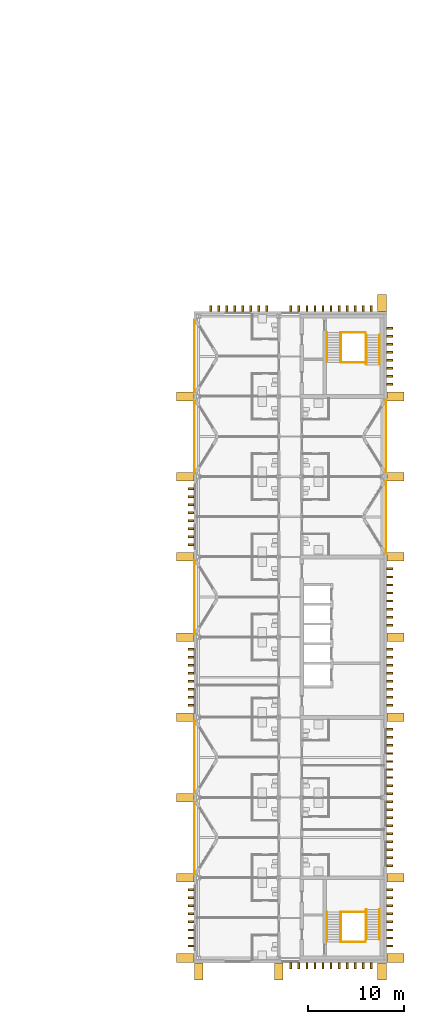
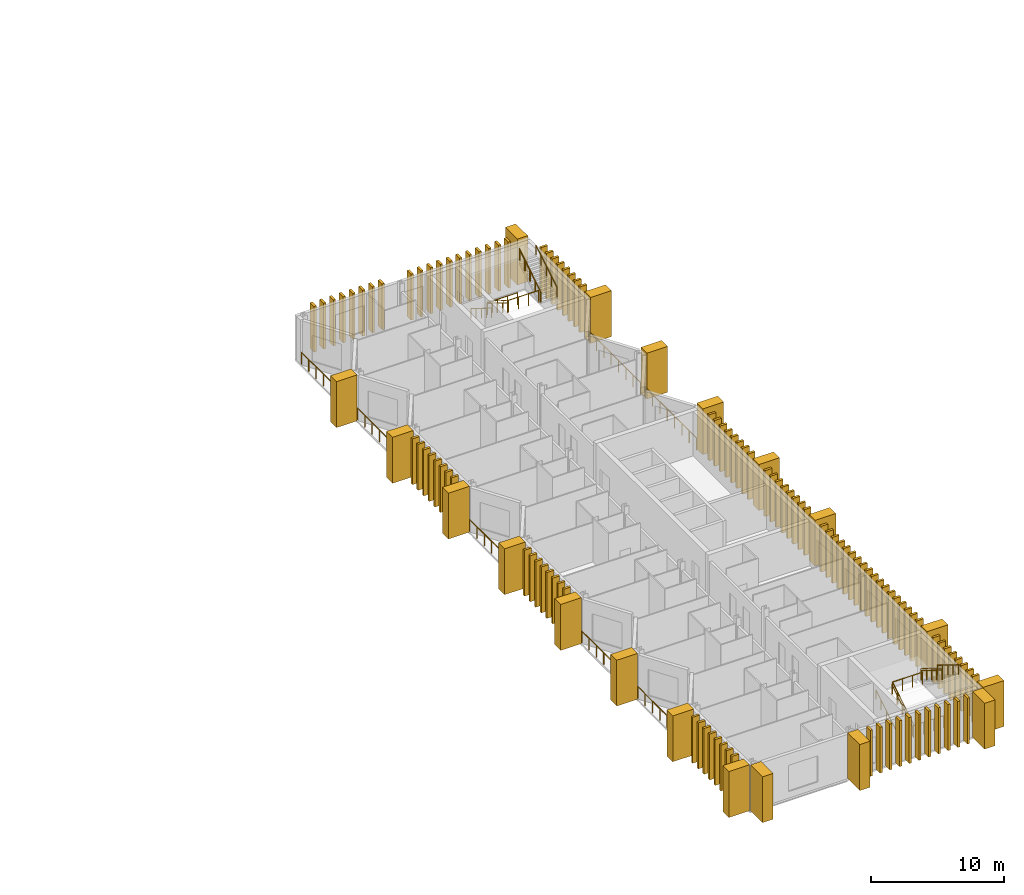
# One storey, part 17 of 18: 123 coverings, 23 railings.
"""IFC4 building model written with IfcOpenShell, lengths in metres."""

from ifc_helpers import new_model, si_unit, direction, frame, origin, origin_2d, place, context, subcontext, project, spatial, rectangle, circle, extrude, material, type_object, element, save


model = new_model("IFC4")

# Units and contexts
model_context = context("Model", 3, precision=1e-05, world=origin(), true_north=direction((0.0, 1.0)))
body_context = subcontext(model_context, "Body", "Model", "MODEL_VIEW")
ifc_project = project(units=[si_unit("LENGTHUNIT", "METRE"), si_unit("AREAUNIT", "SQUARE_METRE"), si_unit("VOLUMEUNIT", "CUBIC_METRE"), si_unit("PLANEANGLEUNIT", "RADIAN"), si_unit("MASSUNIT", "GRAM", prefix="KILO")], contexts=[model_context])

# Site, building, storey
site_placement = place(None, origin())
site = spatial("IfcSite", under=ifc_project, at=site_placement, CompositionType="ELEMENT")
building_placement = place(site_placement, origin())
building = spatial("IfcBuilding", under=site, at=building_placement, Name="Cresset Court Congress Hotel", CompositionType="ELEMENT")
storey_placement = place(building_placement, frame((0.0, 0.0, 35.39990234375)))
storey = spatial("IfcBuildingStorey", under=building, at=storey_placement, Name="L08", CompositionType="ELEMENT", Elevation=35.39990234375)

# Coverings
ifc_material_1 = material(Name="Precast concrete C50", Category="concrete")
covering_type_1 = type_object("IfcCoveringType", Name="Precast stone fin 200x600", PredefinedType="CLADDING", material=ifc_material_1)
for number, where, z_axis, x_axis, name in (
    (1, (177.199951171875, 1.260009765625, 0.0), (0.0, 0.0, 1.0), (1.0, 0.0, 0.0), "Fin E002"),
    (2, (177.199951171875, 2.10009765625, 0.0), (0.0, 0.0, 1.0), (1.0, 0.0, 0.0), "Fin E003"),
    (3, (177.199951171875, 2.93994140625, 0.0), (0.0, 0.0, 1.0), (1.0, 0.0, 0.0), "Fin E004"),
    (4, (177.199951171875, 3.780029296875, 0.0), (0.0, 0.0, 1.0), (1.0, 0.0, 0.0), "Fin E005"),
    (5, (177.199951171875, 4.6201171875, 0.0), (0.0, 0.0, 1.0), (1.0, 0.0, 0.0), "Fin E006"),
    (6, (177.199951171875, 5.4599609375, 0.0), (0.0, 0.0, 1.0), (1.0, 0.0, 0.0), "Fin E007"),
    (7, (177.199951171875, 6.300048828125, 0.0), (0.0, 0.0, 1.0), (1.0, 0.0, 0.0), "Fin E008"),
    (8, (177.199951171875, 7.139892578125, 0.0), (0.0, 0.0, 1.0), (1.0, 0.0, 0.0), "Fin E009"),
    (9, (177.199951171875, 9.659912109375, 0.0), (0.0, 0.0, 1.0), (1.0, 0.0, 0.0), "Fin E012"),
    (10, (177.199951171875, 10.5, 0.0), (0.0, 0.0, 1.0), (1.0, 0.0, 0.0), "Fin E013"),
    (11, (177.199951171875, 11.340087890625, 0.0), (0.0, 0.0, 1.0), (1.0, 0.0, 0.0), "Fin E014"),
    (12, (177.199951171875, 12.179931640625, 0.0), (0.0, 0.0, 1.0), (1.0, 0.0, 0.0), "Fin E015"),
    (13, (177.199951171875, 13.02001953125, 0.0), (0.0, 0.0, 1.0), (1.0, 0.0, 0.0), "Fin E016"),
    (14, (177.199951171875, 13.860107421875, 0.0), (0.0, 0.0, 1.0), (1.0, 0.0, 0.0), "Fin E017"),
    (15, (177.199951171875, 14.699951171875, 0.0), (0.0, 0.0, 1.0), (1.0, 0.0, 0.0), "Fin E018"),
    (16, (177.199951171875, 15.5400390625, 0.0), (0.0, 0.0, 1.0), (1.0, 0.0, 0.0), "Fin E019"),
    (17, (177.199951171875, 16.3798828125, 0.0), (0.0, 0.0, 1.0), (1.0, 0.0, 0.0), "Fin E020"),
    (18, (177.199951171875, 17.219970703125, 0.0), (0.0, 0.0, 1.0), (1.0, 0.0, 0.0), "Fin E021"),
    (19, (177.199951171875, 18.06005859375, 0.0), (0.0, 0.0, 1.0), (1.0, 0.0, 0.0), "Fin E022"),
    (20, (177.199951171875, 18.89990234375, 0.0), (0.0, 0.0, 1.0), (1.0, 0.0, 0.0), "Fin E023"),
    (21, (177.199951171875, 19.739990234375, 0.0), (0.0, 0.0, 1.0), (1.0, 0.0, 0.0), "Fin E024"),
    (22, (177.199951171875, 20.580078125, 0.0), (0.0, 0.0, 1.0), (1.0, 0.0, 0.0), "Fin E025"),
    (23, (177.199951171875, 21.419921875, 0.0), (0.0, 0.0, 1.0), (1.0, 0.0, 0.0), "Fin E026"),
    (24, (177.199951171875, 22.260009765625, 0.0), (0.0, 0.0, 1.0), (1.0, 0.0, 0.0), "Fin E027"),
    (25, (177.199951171875, 23.10009765625, 0.0), (0.0, 0.0, 1.0), (1.0, 0.0, 0.0), "Fin E028"),
    (26, (177.199951171875, 23.93994140625, 0.0), (0.0, 0.0, 1.0), (1.0, 0.0, 0.0), "Fin E029"),
    (27, (177.199951171875, 26.4599609375, 0.0), (0.0, 0.0, 1.0), (1.0, 0.0, 0.0), "Fin E032"),
    (28, (177.199951171875, 27.300048828125, 0.0), (0.0, 0.0, 1.0), (1.0, 0.0, 0.0), "Fin E033"),
    (29, (177.199951171875, 28.139892578125, 0.0), (0.0, 0.0, 1.0), (1.0, 0.0, 0.0), "Fin E034"),
    (30, (177.199951171875, 28.97998046875, 0.0), (0.0, 0.0, 1.0), (1.0, 0.0, 0.0), "Fin E035"),
    (31, (177.199951171875, 29.820068359375, 0.0), (0.0, 0.0, 1.0), (1.0, 0.0, 0.0), "Fin E036"),
    (32, (177.199951171875, 30.659912109375, 0.0), (0.0, 0.0, 1.0), (1.0, 0.0, 0.0), "Fin E037"),
    (33, (177.199951171875, 31.5, 0.0), (0.0, 0.0, 1.0), (1.0, 0.0, 0.0), "Fin E038"),
    (34, (177.199951171875, 32.340087890625, 0.0), (0.0, 0.0, 1.0), (1.0, 0.0, 0.0), "Fin E039"),
    (35, (177.199951171875, 34.860107421875, 0.0), (0.0, 0.0, 1.0), (1.0, 0.0, 0.0), "Fin E042"),
    (36, (177.199951171875, 35.699951171875, 0.0), (0.0, 0.0, 1.0), (1.0, 0.0, 0.0), "Fin E043"),
    (37, (177.199951171875, 36.5400390625, 0.0), (0.0, 0.0, 1.0), (1.0, 0.0, 0.0), "Fin E044"),
    (38, (177.199951171875, 37.3798828125, 0.0), (0.0, 0.0, 1.0), (1.0, 0.0, 0.0), "Fin E045"),
    (39, (177.199951171875, 38.219970703125, 0.0), (0.0, 0.0, 1.0), (1.0, 0.0, 0.0), "Fin E046"),
    (40, (177.199951171875, 39.06005859375, 0.0), (0.0, 0.0, 1.0), (1.0, 0.0, 0.0), "Fin E047"),
    (41, (177.199951171875, 39.89990234375, 0.0), (0.0, 0.0, 1.0), (1.0, 0.0, 0.0), "Fin E048"),
    (42, (177.199951171875, 40.739990234375, 0.0), (0.0, 0.0, 1.0), (1.0, 0.0, 0.0), "Fin E049"),
    (43, (177.199951171875, 60.06005859375, 0.0), (0.0, 0.0, 1.0), (1.0, 0.0, 0.0), "Fin E072"),
    (44, (177.199951171875, 60.89990234375, 0.0), (0.0, 0.0, 1.0), (1.0, 0.0, 0.0), "Fin E073"),
    (45, (177.199951171875, 61.739990234375, 0.0), (0.0, 0.0, 1.0), (1.0, 0.0, 0.0), "Fin E074"),
    (46, (177.199951171875, 62.580078125, 0.0), (0.0, 0.0, 1.0), (1.0, 0.0, 0.0), "Fin E075"),
    (47, (177.199951171875, 63.419921875, 0.0), (0.0, 0.0, 1.0), (1.0, 0.0, 0.0), "Fin E076"),
    (48, (177.199951171875, 64.260009765625, 0.0), (0.0, 0.0, 1.0), (1.0, 0.0, 0.0), "Fin E077"),
    (49, (177.199951171875, 65.10009765625, 0.0), (0.0, 0.0, 1.0), (1.0, 0.0, 0.0), "Fin E078"),
    (50, (177.199951171875, 65.93994140625, 0.0), (0.0, 0.0, 1.0), (1.0, 0.0, 0.0), "Fin E079"),
    (51, (156.39990234375, 1.260009765625, 0.0), (0.0, 0.0, 1.0), (1.0, 0.0, 0.0), "Fin W002"),
    (52, (156.39990234375, 2.10009765625, 0.0), (0.0, 0.0, 1.0), (1.0, 0.0, 0.0), "Fin W003"),
    (53, (156.39990234375, 2.93994140625, 0.0), (0.0, 0.0, 1.0), (1.0, 0.0, 0.0), "Fin W004"),
    (54, (156.39990234375, 3.780029296875, 0.0), (0.0, 0.0, 1.0), (1.0, 0.0, 0.0), "Fin W005"),
    (55, (156.39990234375, 4.6201171875, 0.0), (0.0, 0.0, 1.0), (1.0, 0.0, 0.0), "Fin W006"),
    (56, (156.39990234375, 5.4599609375, 0.0), (0.0, 0.0, 1.0), (1.0, 0.0, 0.0), "Fin W007"),
    (57, (156.39990234375, 6.300048828125, 0.0), (0.0, 0.0, 1.0), (1.0, 0.0, 0.0), "Fin W008"),
    (58, (156.39990234375, 7.139892578125, 0.0), (0.0, 0.0, 1.0), (1.0, 0.0, 0.0), "Fin W009"),
    (59, (156.39990234375, 26.4599609375, 0.0), (0.0, 0.0, 1.0), (1.0, 0.0, 0.0), "Fin W032"),
    (60, (156.39990234375, 27.300048828125, 0.0), (0.0, 0.0, 1.0), (1.0, 0.0, 0.0), "Fin W033"),
    (61, (156.39990234375, 28.139892578125, 0.0), (0.0, 0.0, 1.0), (1.0, 0.0, 0.0), "Fin W034"),
    (62, (156.39990234375, 28.97998046875, 0.0), (0.0, 0.0, 1.0), (1.0, 0.0, 0.0), "Fin W035"),
    (63, (156.39990234375, 29.820068359375, 0.0), (0.0, 0.0, 1.0), (1.0, 0.0, 0.0), "Fin W036"),
    (64, (156.39990234375, 30.659912109375, 0.0), (0.0, 0.0, 1.0), (1.0, 0.0, 0.0), "Fin W037"),
    (65, (156.39990234375, 31.5, 0.0), (0.0, 0.0, 1.0), (1.0, 0.0, 0.0), "Fin W038"),
    (66, (156.39990234375, 32.340087890625, 0.0), (0.0, 0.0, 1.0), (1.0, 0.0, 0.0), "Fin W039"),
    (67, (156.39990234375, 43.260009765625, 0.0), (0.0, 0.0, 1.0), (1.0, 0.0, 0.0), "Fin W052"),
    (68, (156.39990234375, 44.10009765625, 0.0), (0.0, 0.0, 1.0), (1.0, 0.0, 0.0), "Fin W053"),
    (69, (156.39990234375, 44.93994140625, 0.0), (0.0, 0.0, 1.0), (1.0, 0.0, 0.0), "Fin W054"),
    (70, (156.39990234375, 45.780029296875, 0.0), (0.0, 0.0, 1.0), (1.0, 0.0, 0.0), "Fin W055"),
    (71, (156.39990234375, 46.6201171875, 0.0), (0.0, 0.0, 1.0), (1.0, 0.0, 0.0), "Fin W056"),
    (72, (156.39990234375, 47.4599609375, 0.0), (0.0, 0.0, 1.0), (1.0, 0.0, 0.0), "Fin W057"),
    (73, (156.39990234375, 48.300048828125, 0.0), (0.0, 0.0, 1.0), (1.0, 0.0, 0.0), "Fin W058"),
    (74, (156.39990234375, 49.139892578125, 0.0), (0.0, 0.0, 1.0), (1.0, 0.0, 0.0), "Fin W059"),
):
    element("IfcCovering", number, at=place(storey_placement, frame(where, z_axis=z_axis, x_axis=x_axis)), inside=storey, type_object=covering_type_1, Name=name, PredefinedType="CLADDING", context=body_context, shape_type="SweptSolid", body=[
        extrude(rectangle(XDim=0.60009765625, YDim=0.199951171875, at=origin_2d()), origin(), (0.0, 0.0, 1.0), 4.199951171875),
    ])
for number, where, z_axis, x_axis, name in (
    (75, (166.860107421875, -0.800048828125, 0.0), (0.0, 0.0, 1.0), (1.0, 0.0, 0.0), "Fin S012"),
    (76, (167.699951171875, -0.800048828125, 0.0), (0.0, 0.0, 1.0), (1.0, 0.0, 0.0), "Fin S013"),
    (77, (168.5400390625, -0.800048828125, 0.0), (0.0, 0.0, 1.0), (1.0, 0.0, 0.0), "Fin S014"),
    (78, (169.3798828125, -0.800048828125, 0.0), (0.0, 0.0, 1.0), (1.0, 0.0, 0.0), "Fin S015"),
    (79, (170.219970703125, -0.800048828125, 0.0), (0.0, 0.0, 1.0), (1.0, 0.0, 0.0), "Fin S016"),
    (80, (171.06005859375, -0.800048828125, 0.0), (0.0, 0.0, 1.0), (1.0, 0.0, 0.0), "Fin S017"),
    (81, (171.89990234375, -0.800048828125, 0.0), (0.0, 0.0, 1.0), (1.0, 0.0, 0.0), "Fin S018"),
    (82, (172.739990234375, -0.800048828125, 0.0), (0.0, 0.0, 1.0), (1.0, 0.0, 0.0), "Fin S019"),
    (83, (173.580078125, -0.800048828125, 0.0), (0.0, 0.0, 1.0), (1.0, 0.0, 0.0), "Fin S020"),
    (84, (174.419921875, -0.800048828125, 0.0), (0.0, 0.0, 1.0), (1.0, 0.0, 0.0), "Fin S021"),
    (85, (175.260009765625, -0.800048828125, 0.0), (0.0, 0.0, 1.0), (1.0, 0.0, 0.0), "Fin S022"),
    (86, (158.4599609375, 68.0, 0.0), (0.0, 0.0, 1.0), (1.0, 0.0, 0.0), "Fin N002"),
    (87, (159.300048828125, 68.0, 0.0), (0.0, 0.0, 1.0), (1.0, 0.0, 0.0), "Fin N003"),
    (88, (160.139892578125, 68.0, 0.0), (0.0, 0.0, 1.0), (1.0, 0.0, 0.0), "Fin N004"),
    (89, (160.97998046875, 68.0, 0.0), (0.0, 0.0, 1.0), (1.0, 0.0, 0.0), "Fin N005"),
    (90, (161.820068359375, 68.0, 0.0), (0.0, 0.0, 1.0), (1.0, 0.0, 0.0), "Fin N006"),
    (91, (162.659912109375, 68.0, 0.0), (0.0, 0.0, 1.0), (1.0, 0.0, 0.0), "Fin N007"),
    (92, (163.5, 68.0, 0.0), (0.0, 0.0, 1.0), (1.0, 0.0, 0.0), "Fin N008"),
    (93, (164.340087890625, 68.0, 0.0), (0.0, 0.0, 1.0), (1.0, 0.0, 0.0), "Fin N009"),
    (94, (166.860107421875, 68.0, 0.0), (0.0, 0.0, 1.0), (1.0, 0.0, 0.0), "Fin N012"),
    (95, (167.699951171875, 68.0, 0.0), (0.0, 0.0, 1.0), (1.0, 0.0, 0.0), "Fin N013"),
    (96, (168.5400390625, 68.0, 0.0), (0.0, 0.0, 1.0), (1.0, 0.0, 0.0), "Fin N014"),
    (97, (169.3798828125, 68.0, 0.0), (0.0, 0.0, 1.0), (1.0, 0.0, 0.0), "Fin N015"),
    (98, (170.219970703125, 68.0, 0.0), (0.0, 0.0, 1.0), (1.0, 0.0, 0.0), "Fin N016"),
    (99, (171.06005859375, 68.0, 0.0), (0.0, 0.0, 1.0), (1.0, 0.0, 0.0), "Fin N017"),
    (100, (171.89990234375, 68.0, 0.0), (0.0, 0.0, 1.0), (1.0, 0.0, 0.0), "Fin N018"),
    (101, (172.739990234375, 68.0, 0.0), (0.0, 0.0, 1.0), (1.0, 0.0, 0.0), "Fin N019"),
    (102, (173.580078125, 68.0, 0.0), (0.0, 0.0, 1.0), (1.0, 0.0, 0.0), "Fin N020"),
    (103, (174.419921875, 68.0, 0.0), (0.0, 0.0, 1.0), (1.0, 0.0, 0.0), "Fin N021"),
    (104, (175.260009765625, 68.0, 0.0), (0.0, 0.0, 1.0), (1.0, 0.0, 0.0), "Fin N022"),
):
    element("IfcCovering", number, at=place(storey_placement, frame(where, z_axis=z_axis, x_axis=x_axis)), inside=storey, type_object=covering_type_1, Name=name, PredefinedType="CLADDING", context=body_context, shape_type="SweptSolid", body=[
        extrude(rectangle(XDim=0.199951171875, YDim=0.60009765625, at=origin_2d()), origin(), (0.0, 0.0, 1.0), 4.199951171875),
    ])
ifc_material_2 = material(Name="Precast concrete C50", Category="concrete")
covering_type_2 = type_object("IfcCoveringType", Name="Precast stone pier 900x1800", PredefinedType="CLADDING", material=ifc_material_2)
for number, where, z_axis, x_axis, name in (
    (105, (177.800048828125, 0.0, 0.0), (0.0, 0.0, 1.0), (1.0, 0.0, 0.0), "Pier E01"),
    (106, (177.800048828125, 8.39990234375, 0.0), (0.0, 0.0, 1.0), (1.0, 0.0, 0.0), "Pier E02"),
    (107, (177.800048828125, 25.199951171875, 0.0), (0.0, 0.0, 1.0), (1.0, 0.0, 0.0), "Pier E03"),
    (108, (177.800048828125, 33.60009765625, 0.0), (0.0, 0.0, 1.0), (1.0, 0.0, 0.0), "Pier E04"),
    (109, (177.800048828125, 42.0, 0.0), (0.0, 0.0, 1.0), (1.0, 0.0, 0.0), "Pier E05"),
    (110, (177.800048828125, 50.39990234375, 0.0), (0.0, 0.0, 1.0), (1.0, 0.0, 0.0), "Pier E06"),
    (111, (177.800048828125, 58.800048828125, 0.0), (0.0, 0.0, 1.0), (1.0, 0.0, 0.0), "Pier E07"),
    (112, (155.800048828125, 0.0, 0.0), (0.0, 0.0, 1.0), (1.0, 0.0, 0.0), "Pier W01"),
    (113, (155.800048828125, 8.39990234375, 0.0), (0.0, 0.0, 1.0), (1.0, 0.0, 0.0), "Pier W02"),
    (114, (155.800048828125, 16.800048828125, 0.0), (0.0, 0.0, 1.0), (1.0, 0.0, 0.0), "Pier W03"),
    (115, (155.800048828125, 25.199951171875, 0.0), (0.0, 0.0, 1.0), (1.0, 0.0, 0.0), "Pier W04"),
    (116, (155.800048828125, 33.60009765625, 0.0), (0.0, 0.0, 1.0), (1.0, 0.0, 0.0), "Pier W05"),
    (117, (155.800048828125, 42.0, 0.0), (0.0, 0.0, 1.0), (1.0, 0.0, 0.0), "Pier W06"),
    (118, (155.800048828125, 50.39990234375, 0.0), (0.0, 0.0, 1.0), (1.0, 0.0, 0.0), "Pier W07"),
    (119, (155.800048828125, 58.800048828125, 0.0), (0.0, 0.0, 1.0), (1.0, 0.0, 0.0), "Pier W08"),
):
    element("IfcCovering", number, at=place(storey_placement, frame(where, z_axis=z_axis, x_axis=x_axis)), inside=storey, type_object=covering_type_2, Name=name, PredefinedType="CLADDING", context=body_context, shape_type="SweptSolid", body=[
        extrude(rectangle(XDim=1.800048828125, YDim=0.89990234375, at=origin_2d()), origin(), (0.0, 0.0, 1.0), 4.199951171875),
    ])
for number, where, z_axis, x_axis, name in (
    (120, (157.199951171875, -1.39990234375, 0.0), (0.0, 0.0, 1.0), (1.0, 0.0, 0.0), "Pier S01"),
    (121, (165.60009765625, -1.39990234375, 0.0), (0.0, 0.0, 1.0), (1.0, 0.0, 0.0), "Pier S02"),
    (122, (176.39990234375, -1.39990234375, 0.0), (0.0, 0.0, 1.0), (1.0, 0.0, 0.0), "Pier S03"),
    (123, (176.39990234375, 68.60009765625, 0.0), (0.0, 0.0, 1.0), (1.0, 0.0, 0.0), "Pier N03"),
):
    element("IfcCovering", number, at=place(storey_placement, frame(where, z_axis=z_axis, x_axis=x_axis)), inside=storey, type_object=covering_type_2, Name=name, PredefinedType="CLADDING", context=body_context, shape_type="SweptSolid", body=[
        extrude(rectangle(XDim=0.89990234375, YDim=1.800048828125, at=origin_2d()), origin(), (0.0, 0.0, 1.0), 4.199951171875),
    ])

# Railings
ifc_material_3 = material(Name="Stainless steel", Category="steel")
railing_type_1 = type_object("IfcRailingType", Name="Slot ledge guard 1100", PredefinedType="GUARDRAIL", material=ifc_material_3)
railing_1_placement = place(storey_placement, frame((156.780029296875, 8.75, 0.0)))
element("IfcRailing", 124, at=railing_1_placement, inside=storey, type_object=railing_type_1, Name="Slot guard W2 L08", PredefinedType="GUARDRAIL", context=body_context, shape_type="SweptSolid", body=[
    extrude(circle(Radius=0.02392578125, at=origin_2d()), frame((0.0, 0.0, 1.076171875), z_axis=(0.0, 1.0, 0.0), x_axis=(-1.0, 0.0, 0.0)), (0.0, 0.0, 1.0), 7.699951171875),
    extrude(circle(Radius=0.02099609375, at=origin_2d()), origin(), (0.0, 0.0, 1.0), 1.052001953125),
    extrude(circle(Radius=0.02099609375, at=origin_2d()), frame((0.0, 1.10009765625, 0.0)), (0.0, 0.0, 1.0), 1.052001953125),
    extrude(circle(Radius=0.02099609375, at=origin_2d()), frame((0.0, 2.199951171875, 0.0)), (0.0, 0.0, 1.0), 1.052001953125),
    extrude(circle(Radius=0.02099609375, at=origin_2d()), frame((0.0, 3.300048828125, 0.0)), (0.0, 0.0, 1.0), 1.052001953125),
    extrude(circle(Radius=0.02099609375, at=origin_2d()), frame((0.0, 4.39990234375, 0.0)), (0.0, 0.0, 1.0), 1.052001953125),
    extrude(circle(Radius=0.02099609375, at=origin_2d()), frame((0.0, 5.5, 0.0)), (0.0, 0.0, 1.0), 1.052001953125),
    extrude(circle(Radius=0.02099609375, at=origin_2d()), frame((0.0, 6.599853515625, 0.0)), (0.0, 0.0, 1.0), 1.052001953125),
    extrude(circle(Radius=0.02099609375, at=origin_2d()), frame((0.0, 7.699951171875, 0.0)), (0.0, 0.0, 1.0), 1.052001953125),
])
railing_2_placement = place(storey_placement, frame((156.780029296875, 17.14990234375, 0.0)))
element("IfcRailing", 125, at=railing_2_placement, inside=storey, type_object=railing_type_1, Name="Slot guard W3 L08", PredefinedType="GUARDRAIL", context=body_context, shape_type="SweptSolid", body=[
    extrude(circle(Radius=0.02392578125, at=origin_2d()), frame((0.0, 0.0, 1.076171875), z_axis=(0.0, 1.0, 0.0), x_axis=(-1.0, 0.0, 0.0)), (0.0, 0.0, 1.0), 7.7001953125),
    extrude(circle(Radius=0.02099609375, at=origin_2d()), origin(), (0.0, 0.0, 1.0), 1.052001953125),
    extrude(circle(Radius=0.02099609375, at=origin_2d()), frame((0.0, 1.10009765625, 0.0)), (0.0, 0.0, 1.0), 1.052001953125),
    extrude(circle(Radius=0.02099609375, at=origin_2d()), frame((0.0, 2.199951171875, 0.0)), (0.0, 0.0, 1.0), 1.052001953125),
    extrude(circle(Radius=0.02099609375, at=origin_2d()), frame((0.0, 3.300048828125, 0.0)), (0.0, 0.0, 1.0), 1.052001953125),
    extrude(circle(Radius=0.02099609375, at=origin_2d()), frame((0.0, 4.400146484375, 0.0)), (0.0, 0.0, 1.0), 1.052001953125),
    extrude(circle(Radius=0.02099609375, at=origin_2d()), frame((0.0, 5.500244140625, 0.0)), (0.0, 0.0, 1.0), 1.052001953125),
    extrude(circle(Radius=0.02099609375, at=origin_2d()), frame((0.0, 6.60009765625, 0.0)), (0.0, 0.0, 1.0), 1.052001953125),
    extrude(circle(Radius=0.02099609375, at=origin_2d()), frame((0.0, 7.7001953125, 0.0)), (0.0, 0.0, 1.0), 1.052001953125),
])
for number, where, name in (
    (126, (156.780029296875, 33.949951171875, 0.0), "Slot guard W5 L08"),
    (127, (156.780029296875, 50.75, 0.0), "Slot guard W7 L08"),
):
    element("IfcRailing", number, at=place(storey_placement, frame(where)), inside=storey, type_object=railing_type_1, Name=name, PredefinedType="GUARDRAIL", context=body_context, shape_type="SweptSolid", body=[
        extrude(circle(Radius=0.02392578125, at=origin_2d()), frame((0.0, 0.0, 1.076171875), z_axis=(0.0, 1.0, 0.0), x_axis=(-1.0, 0.0, 0.0)), (0.0, 0.0, 1.0), 7.699951171875),
        extrude(circle(Radius=0.02099609375, at=origin_2d()), origin(), (0.0, 0.0, 1.0), 1.052001953125),
        extrude(circle(Radius=0.02099609375, at=origin_2d()), frame((0.0, 1.10009765625, 0.0)), (0.0, 0.0, 1.0), 1.052001953125),
        extrude(circle(Radius=0.02099609375, at=origin_2d()), frame((0.0, 2.199951171875, 0.0)), (0.0, 0.0, 1.0), 1.052001953125),
        extrude(circle(Radius=0.02099609375, at=origin_2d()), frame((0.0, 3.300048828125, 0.0)), (0.0, 0.0, 1.0), 1.052001953125),
        extrude(circle(Radius=0.02099609375, at=origin_2d()), frame((0.0, 4.39990234375, 0.0)), (0.0, 0.0, 1.0), 1.052001953125),
        extrude(circle(Radius=0.02099609375, at=origin_2d()), frame((0.0, 5.5, 0.0)), (0.0, 0.0, 1.0), 1.052001953125),
        extrude(circle(Radius=0.02099609375, at=origin_2d()), frame((0.0, 6.599853515625, 0.0)), (0.0, 0.0, 1.0), 1.052001953125),
        extrude(circle(Radius=0.02099609375, at=origin_2d()), frame((0.0, 7.699951171875, 0.0)), (0.0, 0.0, 1.0), 1.052001953125),
    ])
railing_3_placement = place(storey_placement, frame((156.780029296875, 59.14990234375, 0.0)))
element("IfcRailing", 128, at=railing_3_placement, inside=storey, type_object=railing_type_1, Name="Slot guard W8 L08", PredefinedType="GUARDRAIL", context=body_context, shape_type="SweptSolid", body=[
    extrude(circle(Radius=0.02392578125, at=origin_2d()), frame((0.0, 0.0, 1.076171875), z_axis=(0.0, 1.0, 0.0), x_axis=(-1.0, 0.0, 0.0)), (0.0, 0.0, 1.0), 7.7001953125),
    extrude(circle(Radius=0.02099609375, at=origin_2d()), origin(), (0.0, 0.0, 1.0), 1.052001953125),
    extrude(circle(Radius=0.02099609375, at=origin_2d()), frame((0.0, 1.10009765625, 0.0)), (0.0, 0.0, 1.0), 1.052001953125),
    extrude(circle(Radius=0.02099609375, at=origin_2d()), frame((0.0, 2.199951171875, 0.0)), (0.0, 0.0, 1.0), 1.052001953125),
    extrude(circle(Radius=0.02099609375, at=origin_2d()), frame((0.0, 3.300048828125, 0.0)), (0.0, 0.0, 1.0), 1.052001953125),
    extrude(circle(Radius=0.02099609375, at=origin_2d()), frame((0.0, 4.400146484375, 0.0)), (0.0, 0.0, 1.0), 1.052001953125),
    extrude(circle(Radius=0.02099609375, at=origin_2d()), frame((0.0, 5.500244140625, 0.0)), (0.0, 0.0, 1.0), 1.052001953125),
    extrude(circle(Radius=0.02099609375, at=origin_2d()), frame((0.0, 6.60009765625, 0.0)), (0.0, 0.0, 1.0), 1.052001953125),
    extrude(circle(Radius=0.02099609375, at=origin_2d()), frame((0.0, 7.7001953125, 0.0)), (0.0, 0.0, 1.0), 1.052001953125),
])
for number, where, name in (
    (129, (176.820068359375, 42.35009765625, 0.0), "Slot guard E6 L08"),
    (130, (176.820068359375, 50.75, 0.0), "Slot guard E7 L08"),
):
    element("IfcRailing", number, at=place(storey_placement, frame(where)), inside=storey, type_object=railing_type_1, Name=name, PredefinedType="GUARDRAIL", context=body_context, shape_type="SweptSolid", body=[
        extrude(circle(Radius=0.02392578125, at=origin_2d()), frame((0.0, 0.0, 1.076171875), z_axis=(0.0, 1.0, 0.0), x_axis=(-1.0, 0.0, 0.0)), (0.0, 0.0, 1.0), 7.699951171875),
        extrude(circle(Radius=0.02099609375, at=origin_2d()), origin(), (0.0, 0.0, 1.0), 1.052001953125),
        extrude(circle(Radius=0.02099609375, at=origin_2d()), frame((0.0, 1.10009765625, 0.0)), (0.0, 0.0, 1.0), 1.052001953125),
        extrude(circle(Radius=0.02099609375, at=origin_2d()), frame((0.0, 2.199951171875, 0.0)), (0.0, 0.0, 1.0), 1.052001953125),
        extrude(circle(Radius=0.02099609375, at=origin_2d()), frame((0.0, 3.300048828125, 0.0)), (0.0, 0.0, 1.0), 1.052001953125),
        extrude(circle(Radius=0.02099609375, at=origin_2d()), frame((0.0, 4.39990234375, 0.0)), (0.0, 0.0, 1.0), 1.052001953125),
        extrude(circle(Radius=0.02099609375, at=origin_2d()), frame((0.0, 5.5, 0.0)), (0.0, 0.0, 1.0), 1.052001953125),
        extrude(circle(Radius=0.02099609375, at=origin_2d()), frame((0.0, 6.599853515625, 0.0)), (0.0, 0.0, 1.0), 1.052001953125),
        extrude(circle(Radius=0.02099609375, at=origin_2d()), frame((0.0, 7.699951171875, 0.0)), (0.0, 0.0, 1.0), 1.052001953125),
    ])
ifc_material_4 = material(Name="Stainless steel", Category="steel")
railing_type_2 = type_object("IfcRailingType", Name="Stair guard 1100", PredefinedType="GUARDRAIL", material=ifc_material_4)
railing_4_placement = place(storey_placement, frame((172.10009765625, 1.699951171875, 0.16162109375)))
element("IfcRailing", 131, at=railing_4_placement, inside=storey, type_object=railing_type_2, Name="Guard A1 L08", PredefinedType="GUARDRAIL", context=body_context, shape_type="SweptSolid", body=[
    extrude(circle(Radius=0.02392578125, at=origin_2d()), frame((0.0, 0.0, 1.076171875), z_axis=(0.0, 0.849414166554, 0.527726798313), x_axis=(-1.0, 0.0, 0.0)), (0.0, 0.0, 1.0), 3.67333984375),
    extrude(circle(Radius=0.02099609375, at=origin_2d()), origin(), (0.0, 0.0, 1.0), 1.052001953125),
    extrude(circle(Radius=0.02099609375, at=origin_2d()), frame((0.0, 0.780029296875, 0.484619140625)), (0.0, 0.0, 1.0), 1.052001953125),
    extrude(circle(Radius=0.02099609375, at=origin_2d()), frame((0.0, 1.56005859375, 0.96923828125)), (0.0, 0.0, 1.0), 1.052001953125),
    extrude(circle(Radius=0.02099609375, at=origin_2d()), frame((0.0, 2.340087890625, 1.453857421875)), (0.0, 0.0, 1.0), 1.052001953125),
    extrude(circle(Radius=0.02099609375, at=origin_2d()), frame((0.0, 3.1201171875, 1.9384765625)), (0.0, 0.0, 1.0), 1.052001953125),
])
railing_5_placement = place(storey_placement, frame((174.699951171875, 5.080078125, 2.26171875)))
element("IfcRailing", 132, at=railing_5_placement, inside=storey, type_object=railing_type_2, Name="Guard A1 L08", PredefinedType="GUARDRAIL", context=body_context, shape_type="SweptSolid", body=[
    extrude(circle(Radius=0.02392578125, at=origin_2d()), frame((0.0, 0.0, 1.076171875), z_axis=(0.0, -0.849414166554, 0.527726798313), x_axis=(1.0, 0.0, 0.0)), (0.0, 0.0, 1.0), 3.67333984375),
    extrude(circle(Radius=0.02099609375, at=origin_2d()), origin(), (0.0, 0.0, 1.0), 1.052001953125),
    extrude(circle(Radius=0.02099609375, at=origin_2d()), frame((0.0, -0.780029296875, 0.484619140625)), (0.0, 0.0, 1.0), 1.052001953125),
    extrude(circle(Radius=0.02099609375, at=origin_2d()), frame((0.0, -1.56005859375, 0.96923828125)), (0.0, 0.0, 1.0), 1.052001953125),
    extrude(circle(Radius=0.02099609375, at=origin_2d()), frame((0.0, -2.340087890625, 1.453857421875)), (0.0, 0.0, 1.0), 1.052001953125),
    extrude(circle(Radius=0.02099609375, at=origin_2d()), frame((0.0, -3.1201171875, 1.9384765625)), (0.0, 0.0, 1.0), 1.052001953125),
])
for number, where, name in (
    (133, (172.10009765625, 1.699951171875, 0.0), "Guard A1 L08"),
    (134, (172.10009765625, 4.820068359375, 2.10009765625), "Guard A1 L08"),
):
    element("IfcRailing", number, at=place(storey_placement, frame(where)), inside=storey, type_object=railing_type_2, Name=name, PredefinedType="GUARDRAIL", context=body_context, shape_type="SweptSolid", body=[
        extrude(circle(Radius=0.02392578125, at=origin_2d()), frame((0.0, 0.0, 1.076171875), z_axis=(1.0, 0.0, 0.0), x_axis=(0.0, 1.0, 0.0)), (0.0, 0.0, 1.0), 2.599853515625),
        extrude(circle(Radius=0.02099609375, at=origin_2d()), origin(), (0.0, 0.0, 1.0), 1.052001953125),
        extrude(circle(Radius=0.02099609375, at=origin_2d()), frame((0.86669921875, 0.0, 0.0)), (0.0, 0.0, 1.0), 1.052001953125),
        extrude(circle(Radius=0.02099609375, at=origin_2d()), frame((1.733154296875, 0.0, 0.0)), (0.0, 0.0, 1.0), 1.052001953125),
        extrude(circle(Radius=0.02099609375, at=origin_2d()), frame((2.599853515625, 0.0, 0.0)), (0.0, 0.0, 1.0), 1.052001953125),
    ])
railing_6_placement = place(storey_placement, frame((172.10009765625, 65.5, 0.16162109375)))
element("IfcRailing", 135, at=railing_6_placement, inside=storey, type_object=railing_type_2, Name="Guard A2 L08", PredefinedType="GUARDRAIL", context=body_context, shape_type="SweptSolid", body=[
    extrude(circle(Radius=0.02392578125, at=origin_2d()), frame((0.0, 0.0, 1.076171875), z_axis=(0.0, -0.849414166554, 0.527726798313), x_axis=(1.0, 0.0, 0.0)), (0.0, 0.0, 1.0), 3.67333984375),
    extrude(circle(Radius=0.02099609375, at=origin_2d()), origin(), (0.0, 0.0, 1.0), 1.052001953125),
    extrude(circle(Radius=0.02099609375, at=origin_2d()), frame((0.0, -0.780029296875, 0.484619140625)), (0.0, 0.0, 1.0), 1.052001953125),
    extrude(circle(Radius=0.02099609375, at=origin_2d()), frame((0.0, -1.56005859375, 0.96923828125)), (0.0, 0.0, 1.0), 1.052001953125),
    extrude(circle(Radius=0.02099609375, at=origin_2d()), frame((0.0, -2.340087890625, 1.453857421875)), (0.0, 0.0, 1.0), 1.052001953125),
    extrude(circle(Radius=0.02099609375, at=origin_2d()), frame((0.0, -3.1201171875, 1.9384765625)), (0.0, 0.0, 1.0), 1.052001953125),
])
railing_7_placement = place(storey_placement, frame((174.699951171875, 62.1201171875, 2.26171875)))
element("IfcRailing", 136, at=railing_7_placement, inside=storey, type_object=railing_type_2, Name="Guard A2 L08", PredefinedType="GUARDRAIL", context=body_context, shape_type="SweptSolid", body=[
    extrude(circle(Radius=0.02392578125, at=origin_2d()), frame((0.0, 0.0, 1.076171875), z_axis=(0.0, 0.849395654964, 0.52775659288), x_axis=(-1.0, 0.0, 0.0)), (0.0, 0.0, 1.0), 3.673095703125),
    extrude(circle(Radius=0.02099609375, at=origin_2d()), origin(), (0.0, 0.0, 1.0), 1.052001953125),
    extrude(circle(Radius=0.02099609375, at=origin_2d()), frame((0.0, 0.780029296875, 0.484619140625)), (0.0, 0.0, 1.0), 1.052001953125),
    extrude(circle(Radius=0.02099609375, at=origin_2d()), frame((0.0, 1.56005859375, 0.96923828125)), (0.0, 0.0, 1.0), 1.052001953125),
    extrude(circle(Radius=0.02099609375, at=origin_2d()), frame((0.0, 2.33984375, 1.453857421875)), (0.0, 0.0, 1.0), 1.052001953125),
    extrude(circle(Radius=0.02099609375, at=origin_2d()), frame((0.0, 3.119873046875, 1.9384765625)), (0.0, 0.0, 1.0), 1.052001953125),
])
for number, where, name in (
    (137, (172.10009765625, 65.5, 0.0), "Guard A2 L08"),
    (138, (172.10009765625, 62.3798828125, 2.10009765625), "Guard A2 L08"),
):
    element("IfcRailing", number, at=place(storey_placement, frame(where)), inside=storey, type_object=railing_type_2, Name=name, PredefinedType="GUARDRAIL", context=body_context, shape_type="SweptSolid", body=[
        extrude(circle(Radius=0.02392578125, at=origin_2d()), frame((0.0, 0.0, 1.076171875), z_axis=(1.0, 0.0, 0.0), x_axis=(0.0, 1.0, 0.0)), (0.0, 0.0, 1.0), 2.599853515625),
        extrude(circle(Radius=0.02099609375, at=origin_2d()), origin(), (0.0, 0.0, 1.0), 1.052001953125),
        extrude(circle(Radius=0.02099609375, at=origin_2d()), frame((0.86669921875, 0.0, 0.0)), (0.0, 0.0, 1.0), 1.052001953125),
        extrude(circle(Radius=0.02099609375, at=origin_2d()), frame((1.733154296875, 0.0, 0.0)), (0.0, 0.0, 1.0), 1.052001953125),
        extrude(circle(Radius=0.02099609375, at=origin_2d()), frame((2.599853515625, 0.0, 0.0)), (0.0, 0.0, 1.0), 1.052001953125),
    ])
ifc_material_5 = material(Name="Stainless steel", Category="steel")
railing_type_3 = type_object("IfcRailingType", Name="Stair handrail 900", PredefinedType="HANDRAIL", material=ifc_material_5)
for number, where, name in (
    (139, (170.659912109375, 1.699951171875, 0.16162109375), "Handrail A1 L08"),
    (140, (172.0400390625, 1.699951171875, 0.16162109375), "Handrail A1 L08"),
):
    element("IfcRailing", number, at=place(storey_placement, frame(where)), inside=storey, type_object=railing_type_3, Name=name, PredefinedType="HANDRAIL", context=body_context, shape_type="SweptSolid", body=[
        extrude(circle(Radius=0.02392578125, at=origin_2d()), frame((0.0, 0.0, 0.8759765625), z_axis=(0.0, 0.849414166554, 0.527726798313), x_axis=(-1.0, 0.0, 0.0)), (0.0, 0.0, 1.0), 3.67333984375),
        extrude(circle(Radius=0.02099609375, at=origin_2d()), origin(), (0.0, 0.0, 1.0), 0.851806640625),
        extrude(circle(Radius=0.02099609375, at=origin_2d()), frame((0.0, 0.780029296875, 0.484619140625)), (0.0, 0.0, 1.0), 0.851806640625),
        extrude(circle(Radius=0.02099609375, at=origin_2d()), frame((0.0, 1.56005859375, 0.96923828125)), (0.0, 0.0, 1.0), 0.851806640625),
        extrude(circle(Radius=0.02099609375, at=origin_2d()), frame((0.0, 2.340087890625, 1.453857421875)), (0.0, 0.0, 1.0), 0.851806640625),
        extrude(circle(Radius=0.02099609375, at=origin_2d()), frame((0.0, 3.1201171875, 1.9384765625)), (0.0, 0.0, 1.0), 0.851806640625),
    ])
for number, where, name in (
    (141, (174.760009765625, 5.080078125, 2.26171875), "Handrail A1 L08"),
    (142, (176.139892578125, 5.080078125, 2.26171875), "Handrail A1 L08"),
    (143, (170.659912109375, 65.5, 0.16162109375), "Handrail A2 L08"),
    (144, (172.0400390625, 65.5, 0.16162109375), "Handrail A2 L08"),
):
    element("IfcRailing", number, at=place(storey_placement, frame(where)), inside=storey, type_object=railing_type_3, Name=name, PredefinedType="HANDRAIL", context=body_context, shape_type="SweptSolid", body=[
        extrude(circle(Radius=0.02392578125, at=origin_2d()), frame((0.0, 0.0, 0.8759765625), z_axis=(0.0, -0.849414166554, 0.527726798313), x_axis=(1.0, 0.0, 0.0)), (0.0, 0.0, 1.0), 3.67333984375),
        extrude(circle(Radius=0.02099609375, at=origin_2d()), origin(), (0.0, 0.0, 1.0), 0.851806640625),
        extrude(circle(Radius=0.02099609375, at=origin_2d()), frame((0.0, -0.780029296875, 0.484619140625)), (0.0, 0.0, 1.0), 0.851806640625),
        extrude(circle(Radius=0.02099609375, at=origin_2d()), frame((0.0, -1.56005859375, 0.96923828125)), (0.0, 0.0, 1.0), 0.851806640625),
        extrude(circle(Radius=0.02099609375, at=origin_2d()), frame((0.0, -2.340087890625, 1.453857421875)), (0.0, 0.0, 1.0), 0.851806640625),
        extrude(circle(Radius=0.02099609375, at=origin_2d()), frame((0.0, -3.1201171875, 1.9384765625)), (0.0, 0.0, 1.0), 0.851806640625),
    ])
for number, where, name in (
    (145, (174.760009765625, 62.1201171875, 2.26171875), "Handrail A2 L08"),
    (146, (176.139892578125, 62.1201171875, 2.26171875), "Handrail A2 L08"),
):
    element("IfcRailing", number, at=place(storey_placement, frame(where)), inside=storey, type_object=railing_type_3, Name=name, PredefinedType="HANDRAIL", context=body_context, shape_type="SweptSolid", body=[
        extrude(circle(Radius=0.02392578125, at=origin_2d()), frame((0.0, 0.0, 0.8759765625), z_axis=(0.0, 0.849395654964, 0.52775659288), x_axis=(-1.0, 0.0, 0.0)), (0.0, 0.0, 1.0), 3.673095703125),
        extrude(circle(Radius=0.02099609375, at=origin_2d()), origin(), (0.0, 0.0, 1.0), 0.851806640625),
        extrude(circle(Radius=0.02099609375, at=origin_2d()), frame((0.0, 0.780029296875, 0.484619140625)), (0.0, 0.0, 1.0), 0.851806640625),
        extrude(circle(Radius=0.02099609375, at=origin_2d()), frame((0.0, 1.56005859375, 0.96923828125)), (0.0, 0.0, 1.0), 0.851806640625),
        extrude(circle(Radius=0.02099609375, at=origin_2d()), frame((0.0, 2.33984375, 1.453857421875)), (0.0, 0.0, 1.0), 0.851806640625),
        extrude(circle(Radius=0.02099609375, at=origin_2d()), frame((0.0, 3.119873046875, 1.9384765625)), (0.0, 0.0, 1.0), 0.851806640625),
    ])

save(model, "model.ifc")
